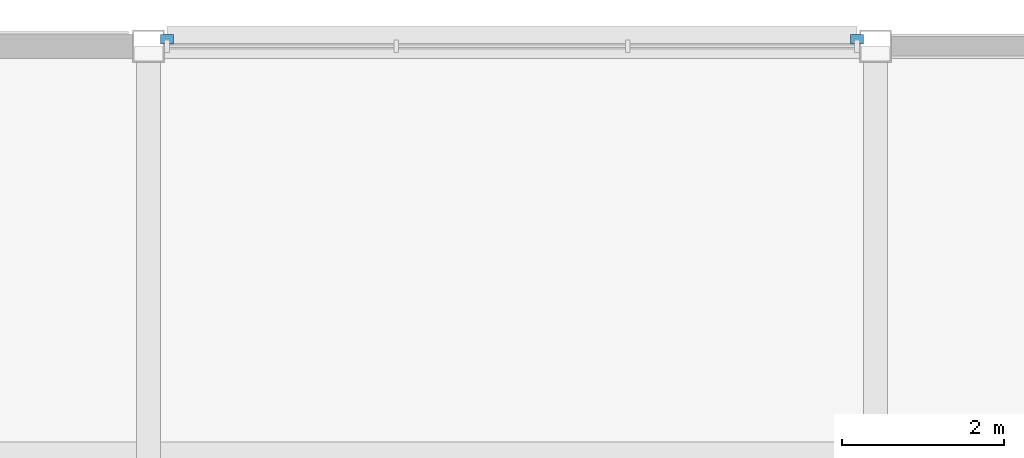
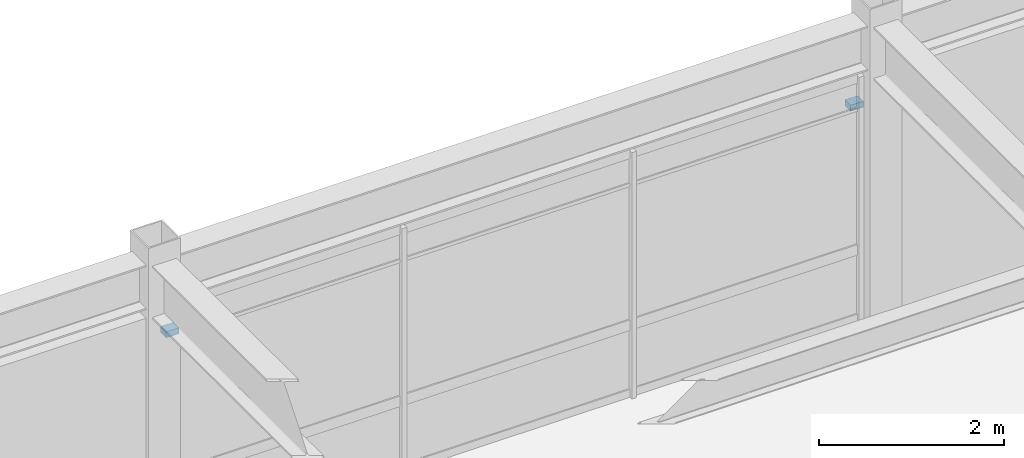
# One storey, part 55 of 70: 2 discrete accessories.
"""IFC4 building model written with IfcOpenShell, lengths in metres."""

from ifc_helpers import new_model, si_unit, direction, frame, origin, origin_2d, place, context, subcontext, project, spatial, rectangle, extrude, material, type_object, element, save


model = new_model("IFC4")

# Units and contexts
model_context = context("Model", 3, precision=1e-05, world=origin(), true_north=direction((0.0, 1.0)))
body_context = subcontext(model_context, "Body", "Model", "MODEL_VIEW")
ifc_project = project(units=[si_unit("LENGTHUNIT", "METRE"), si_unit("AREAUNIT", "SQUARE_METRE"), si_unit("VOLUMEUNIT", "CUBIC_METRE"), si_unit("PLANEANGLEUNIT", "RADIAN"), si_unit("MASSUNIT", "GRAM", prefix="KILO")], contexts=[model_context])

# Site, building, storey
site_placement = place(None, origin())
site = spatial("IfcSite", under=ifc_project, at=site_placement, CompositionType="ELEMENT")
building_placement = place(site_placement, origin())
building = spatial("IfcBuilding", under=site, at=building_placement, Name="Suzunagisa Mobility Hub", CompositionType="ELEMENT")
storey_placement = place(building_placement, frame((0.0, 0.0, 13.5)))
storey = spatial("IfcBuildingStorey", under=building, at=storey_placement, Name="L03", CompositionType="ELEMENT", Elevation=13.5)

# Discrete accessories
ifc_material = material(Name="Stainless Steel SUS316", Category="metal")
discrete_accessory_type = type_object("IfcDiscreteAccessoryType", Name="Stainless Sunshade Outrigger Bracket BRK-01", PredefinedType="BRACKET", material=ifc_material)
for number, where, z_axis, x_axis, name in (
    (1, (89.77001953125, 118.0849609375, 2.760009765625), (0.0, 0.0, 1.0), (-1.0, 0.0, 0.0), "Sunshade Outrigger Bracket BRK-26.1"),
    (2, (81.22998046875, 118.0849609375, 2.760009765625), (0.0, 0.0, 1.0), (-1.0, 0.0, 0.0), "Sunshade Outrigger Bracket BRK-26.2"),
):
    element("IfcDiscreteAccessory", number, at=place(storey_placement, frame(where, z_axis=z_axis, x_axis=x_axis)), inside=storey, type_object=discrete_accessory_type, Name=name, PredefinedType="BRACKET", context=body_context, shape_type="SweptSolid", body=[
        extrude(rectangle(XDim=0.159912109375, YDim=0.1201171875, at=origin_2d()), origin(), (0.0, 0.0, 1.0), 0.080078125),
    ])

save(model, "model.ifc")
